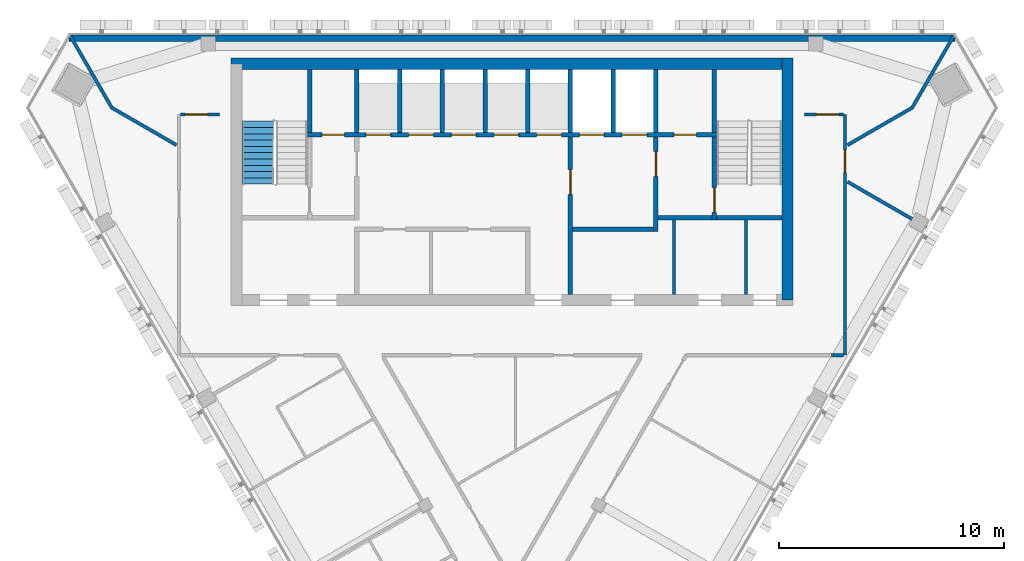
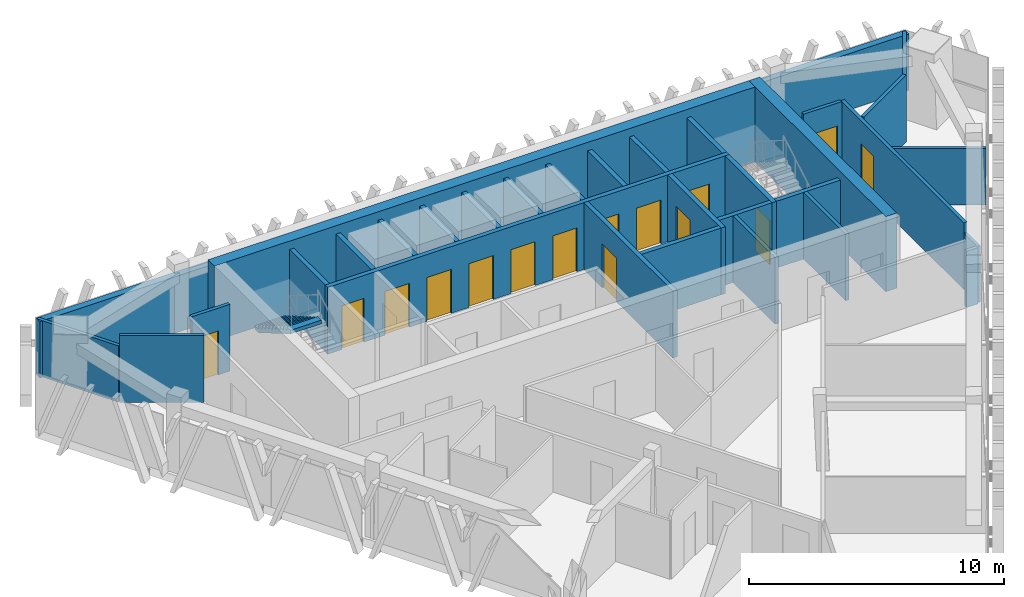
# One storey, part 7 of 12: 32 walls, 15 doors, 1 stair flight, 15 openings, 1 element without a shape of its own.
"""IFC4 building model written with IfcOpenShell, lengths in metres."""

import ifcopenshell
import ifcopenshell.guid

model = None  # the IFC model being written
_history = None  # IfcOwnerHistory: only IFC2X3 demands one
_inside = {}  # id of a spatial element -> (the spatial element, [elements in it])
_under = {}  # id of a project, library or spatial element -> (it, [spatial elements below it])
_declared = {}  # id of a project -> (the project, [libraries it declares])
_typed = {}  # id of a type object -> (the type object, [elements of that type])
_made_of = {}  # id of a material, layer set ... -> (it, [elements and type objects made of it])


def new_model(schema):
    """Start an empty IFC model of exactly this schema.

    Asked for "IFC4X3", IfcOpenShell would pick the latest addendum, in which some entities
    have other attributes; the version numbers below select the first issue.
    IFC2X3 requires an IfcOwnerHistory on every rooted entity: one is made here for all.
    """
    global model, _history
    if schema == "IFC4X3":
        model = ifcopenshell.file(schema_version=(4, 3, 0, 0))
    else:
        model = ifcopenshell.file(schema=schema)
    _inside.clear()
    _under.clear()
    _declared.clear()
    _typed.clear()
    _made_of.clear()
    _history = None
    if model.schema == "IFC2X3":
        org = make("IfcOrganization", Name="unknown")
        user = make(
            "IfcPersonAndOrganization",
            ThePerson=make("IfcPerson", FamilyName="unknown"),
            TheOrganization=org,
        )
        app = make(
            "IfcApplication",
            ApplicationDeveloper=org,
            Version="unknown",
            ApplicationFullName="unknown",
            ApplicationIdentifier="unknown",
        )
        _history = make(
            "IfcOwnerHistory",
            OwningUser=user,
            OwningApplication=app,
            ChangeAction="ADDED",
            CreationDate=0,
        )
    return model


def make(cls, **values):
    """One entity of the class cls with the attributes given. An attribute that is None is left unset."""
    return model.create_entity(
        cls, **{name: value for name, value in values.items() if value is not None}
    )


def rooted(cls, **values):
    """An entity with a GlobalId (a new one), such as an element, a storey or a relation."""
    return make(cls, GlobalId=ifcopenshell.guid.new(), OwnerHistory=_history, **values)


def si_unit(unit_type, name, prefix=None):
    """IfcSIUnit, for example si_unit("LENGTHUNIT", "METRE", prefix="MILLI")."""
    return make("IfcSIUnit", UnitType=unit_type, Prefix=prefix, Name=name)


def assignment(units):
    """IfcUnitAssignment: the units of a project."""
    return None if units is None else make("IfcUnitAssignment", Units=units)


def point(xyz):
    """IfcCartesianPoint."""
    return None if xyz is None else make("IfcCartesianPoint", Coordinates=xyz)


def direction(xyz):
    """IfcDirection."""
    return None if xyz is None else make("IfcDirection", DirectionRatios=xyz)


def frame(location, z_axis=None, x_axis=None):
    """IfcAxis2Placement3D, a coordinate frame: its origin and axes. An axis left out is left unset."""
    return make(
        "IfcAxis2Placement3D",
        Location=point(location),
        Axis=direction(z_axis),
        RefDirection=direction(x_axis),
    )


def frame_2d(location, x_axis=None):
    """IfcAxis2Placement2D, a coordinate frame in the plane: its origin and x axis."""
    return make(
        "IfcAxis2Placement2D", Location=point(location), RefDirection=direction(x_axis)
    )


def origin():
    """The frame at (0, 0, 0) with its axes left unset."""
    return frame((0.0, 0.0, 0.0))


def place(relative_to, where):
    """IfcLocalPlacement: puts the frame where relative to a parent placement (None: the world)."""
    return make(
        "IfcLocalPlacement", PlacementRelTo=relative_to, RelativePlacement=where
    )


def context(
    kind, dimensions, precision=None, world=None, true_north=None, identifier=None
):
    """IfcGeometricRepresentationContext, for example the 3D "Model" context."""
    return make(
        "IfcGeometricRepresentationContext",
        ContextIdentifier=identifier,
        ContextType=kind,
        CoordinateSpaceDimension=dimensions,
        Precision=precision,
        WorldCoordinateSystem=world,
        TrueNorth=true_north,
    )


def subcontext(parent, identifier, kind, view, scale=None):
    """IfcGeometricRepresentationSubContext, for example "Body" below "Model"."""
    return make(
        "IfcGeometricRepresentationSubContext",
        ContextIdentifier=identifier,
        ContextType=kind,
        ParentContext=parent,
        TargetScale=scale,
        TargetView=view,
    )


def project(units=None, contexts=None):
    """IfcProject with its units and contexts."""
    return rooted(
        "IfcProject",
        Name="project",
        RepresentationContexts=contexts,
        UnitsInContext=assignment(units),
    )


def spatial(cls, under=None, at=None, **own):
    """A site, building, storey or space (cls), placed at a placement, below another one or the project."""
    s = rooted(cls, ObjectPlacement=at, **own)
    if under is not None:
        _under.setdefault(under.id(), (under, []))[1].append(s)
    return s


def polyline(points):
    """IfcPolyline through the points."""
    return make("IfcPolyline", Points=[point(p) for p in points])


def profile(cls, at=None, kind="AREA", **sizes):
    """A parametric profile (cls). Its sizes go by their IFC names, for example OverallWidth=200.0."""
    return make(cls, ProfileType=kind, Position=at, **sizes)


def rectangle(**sizes):
    """IfcRectangleProfileDef."""
    return profile("IfcRectangleProfileDef", **sizes)


def outline(outer, holes=None, kind="AREA"):
    """IfcArbitraryClosedProfileDef: a profile drawn as a closed curve; with holes, ...WithVoids."""
    if holes is None:
        return make("IfcArbitraryClosedProfileDef", ProfileType=kind, OuterCurve=outer)
    return make(
        "IfcArbitraryProfileDefWithVoids",
        ProfileType=kind,
        OuterCurve=outer,
        InnerCurves=holes,
    )


def extrude(swept, where, along, depth):
    """IfcExtrudedAreaSolid: the profile swept, set in the frame where, extruded along a direction by depth."""
    return make(
        "IfcExtrudedAreaSolid",
        SweptArea=swept,
        Position=where,
        ExtrudedDirection=direction(along),
        Depth=depth,
    )


def shape(context_of_items, identifier, shape_type, items):
    """IfcShapeRepresentation: the items that make up one representation, for example the "Body"."""
    return make(
        "IfcShapeRepresentation",
        ContextOfItems=context_of_items,
        RepresentationIdentifier=identifier,
        RepresentationType=shape_type,
        Items=items,
    )


def material(Name=None, Category=None):
    """IfcMaterial."""
    return make("IfcMaterial", Name=Name, Category=Category)


def layer(
    of_material, thickness, ventilated=None, Name=None, Category=None, Priority=None
):
    """IfcMaterialLayer: one layer of a wall or slab, of a material (None: an air gap)."""
    return make(
        "IfcMaterialLayer",
        Material=of_material,
        LayerThickness=thickness,
        IsVentilated=ventilated,
        Name=Name,
        Category=Category,
        Priority=Priority,
    )


def layer_set(layers, Name=None):
    """IfcMaterialLayerSet."""
    return make("IfcMaterialLayerSet", MaterialLayers=layers, LayerSetName=Name)


def made_of(thing, what):
    """Note that an element or type object is made of a material, layer set ...; save() writes the relation."""
    if what is not None:
        _made_of.setdefault(what.id(), (what, []))[1].append(thing)
    return thing


def type_object(cls, material=None, **own):
    """A type object (cls), such as IfcWallType, which elements share."""
    return made_of(rooted(cls, **own), material)


def element(
    cls,
    number,
    at=None,
    inside=None,
    cuts=None,
    type_object=None,
    material=None,
    context=None,
    identifier="Body",
    shape_type=None,
    held_by="IfcProductDefinitionShape",
    body=None,
    shapes=None,
    **own,
):
    """One element of the class cls, such as IfcWall. Its Tag is "e" and its number.

    at: its placement. inside: the storey or other place that contains it. cuts: it is an
    opening in that element (IfcRelVoidsElement). A single representation is given by context,
    identifier, shape_type and body (its items); several are given by shapes. held_by: the class
    of the entity that holds the representations. save() writes the other relations.
    """
    e = rooted(cls, Tag="e%d" % number, ObjectPlacement=at, **own)
    if body is not None:
        shapes = [shape(context, identifier, shape_type, body)]
    if shapes is not None:
        e.Representation = make(held_by, Representations=shapes)
    if inside is not None:
        _inside.setdefault(inside.id(), (inside, []))[1].append(e)
    if cuts is not None:
        rooted(
            "IfcRelVoidsElement", RelatingBuildingElement=cuts, RelatedOpeningElement=e
        )
    if type_object is not None:
        _typed.setdefault(type_object.id(), (type_object, []))[1].append(e)
    return made_of(e, material)


def fill(opening, filler):
    """IfcRelFillsElement: the door or window that sits in an opening."""
    return rooted(
        "IfcRelFillsElement",
        RelatingOpeningElement=opening,
        RelatedBuildingElement=filler,
    )


def aggregate(whole, parts):
    """IfcRelAggregates: a whole, such as a stair, and the parts it consists of."""
    return rooted("IfcRelAggregates", RelatingObject=whole, RelatedObjects=parts)


def save(model, path):
    """Write the relations noted so far, then the file.

    IfcRelAggregates (storeys below a building ...), IfcRelContainedInSpatialStructure (elements
    in a storey), IfcRelDefinesByType, IfcRelAssociatesMaterial and IfcRelDeclares: one each for
    every whole, place, type object, material and project.
    """
    for whole, parts in _under.values():
        aggregate(whole, parts)
    for where, things in _inside.values():
        rooted(
            "IfcRelContainedInSpatialStructure",
            RelatedElements=things,
            RelatingStructure=where,
        )
    for kind, things in _typed.values():
        rooted("IfcRelDefinesByType", RelatedObjects=things, RelatingType=kind)
    for what, things in _made_of.values():
        rooted("IfcRelAssociatesMaterial", RelatedObjects=things, RelatingMaterial=what)
    for by, libraries in _declared.values():
        rooted("IfcRelDeclares", RelatingContext=by, RelatedDefinitions=libraries)
    model.write(path)


model = new_model("IFC4")

# Units and contexts
model_context = context("Model", 3, precision=1e-05, world=origin(), true_north=direction((0.0, 1.0)))
body_context = subcontext(model_context, "Body", "Model", "MODEL_VIEW")
ifc_project = project(units=[si_unit("LENGTHUNIT", "METRE"), si_unit("AREAUNIT", "SQUARE_METRE"), si_unit("VOLUMEUNIT", "CUBIC_METRE"), si_unit("PLANEANGLEUNIT", "RADIAN"), si_unit("MASSUNIT", "GRAM", prefix="KILO")], contexts=[model_context])

# Site, building, storey
site_placement = place(None, origin())
site = spatial("IfcSite", under=ifc_project, at=site_placement, CompositionType="ELEMENT")
building_placement = place(site_placement, origin())
building = spatial("IfcBuilding", under=site, at=building_placement, Name="Altiplano Prism Tower", CompositionType="ELEMENT")
storey_placement = place(building_placement, frame((0.0, 0.0, 316.60009765625)))
storey = spatial("IfcBuildingStorey", under=building, at=storey_placement, Name="L82", CompositionType="ELEMENT", Elevation=316.60009765625)

# Walls
ifc_material_1 = material(Name="Concrete C60/75", Category="concrete")
ifc_layer_1 = layer(ifc_material_1, 0.5)
ifc_layer_set_1 = layer_set([ifc_layer_1], Name="Concrete C60/75")
wall_type_1 = type_object("IfcWallType", Name="Core wall 500", PredefinedType="SHEAR", material=ifc_layer_set_1)
wall_1_placement = place(storey_placement, frame((97.25, 93.14990234375, 0.0), z_axis=(0.0, 0.0, 1.0), x_axis=(0.0, 1.0, 0.0)))
element("IfcWall", 1, at=wall_1_placement, inside=storey, type_object=wall_type_1, Name="Core wall E L82", PredefinedType="SHEAR", context=body_context, shape_type="SweptSolid", body=[
    extrude(rectangle(XDim=10.75, YDim=0.5, at=frame_2d((5.375, 0.0))), origin(), (0.0, 0.0, 1.0), 3.599853515625),
])
wall_2_placement = place(storey_placement, frame((97.25, 103.64990234375, 0.0), z_axis=(0.0, 0.0, 1.0), x_axis=(-1.0, 0.0, 0.0)))
element("IfcWall", 2, at=wall_2_placement, inside=storey, type_object=wall_type_1, Name="Core wall N L82", PredefinedType="SHEAR", context=body_context, shape_type="SweptSolid", body=[
    extrude(rectangle(XDim=24.75, YDim=0.5, at=frame_2d((12.375, 0.0))), origin(), (0.0, 0.0, 1.0), 3.599853515625),
])
ifc_material_2 = material(Name="Plasterboard on steel stud", Category="steel")
ifc_layer_2 = layer(ifc_material_2, 0.14990234375)
ifc_layer_set_2 = layer_set([ifc_layer_2], Name="Plasterboard on steel stud")
wall_type_2 = type_object("IfcWallType", Name="Partition 150 corridor", PredefinedType="PARTITIONING", material=ifc_layer_set_2)
wall_3_placement = place(storey_placement, frame((99.198486328125, 90.699951171875, 0.0), z_axis=(0.0, 0.0, 1.0), x_axis=(1.0, 0.0, 0.0)))
element("IfcWall", 3, at=wall_3_placement, inside=storey, type_object=wall_type_2, Name="Partition P06 L82 011", PredefinedType="PARTITIONING", context=body_context, shape_type="SweptSolid", body=[
    extrude(rectangle(XDim=0.5263671875, YDim=0.14990234375, at=frame_2d((0.26318359375, 0.0))), origin(), (0.0, 0.0, 1.0), 2.699951171875),
])
wall_4_placement = place(storey_placement, frame((99.800048828125, 90.699951171875, 0.0), z_axis=(0.0, 0.0, 1.0), x_axis=(0.0, 1.0, 0.0)))
element("IfcWall", 4, at=wall_4_placement, inside=storey, type_object=wall_type_2, Name="Partition P06 L82 012", PredefinedType="PARTITIONING", context=body_context, shape_type="SweptSolid", body=[
    extrude(rectangle(XDim=1.042236328125, YDim=0.14990234375, at=frame_2d((0.52099609375, 0.0))), origin(), (0.0, 0.0, 1.0), 2.699951171875),
])

# Wall, opening, door
wall_5_placement = place(storey_placement, frame((99.800048828125, 91.7421875, 0.0), z_axis=(0.0, 0.0, 1.0), x_axis=(5.0553561e-05, 0.999999998722, 0.0)))
wall_5 = element("IfcWall", 5, at=wall_5_placement, inside=storey, type_object=wall_type_2, Name="Partition P06 L82 013", PredefinedType="PARTITIONING", context=body_context, shape_type="SweptSolid", body=[
    extrude(rectangle(XDim=9.65869140625, YDim=0.14990234375, at=frame_2d((4.829345703125, 0.0))), origin(), (0.0, 0.0, 1.0), 3.199951171875),
])
opening_1_placement = place(wall_5_placement, frame((7.0791015625, 0.0, 0.0)))
opening_1 = element("IfcOpeningElement", 6, at=opening_1_placement, cuts=wall_5, Name="Opening D2421", PredefinedType="OPENING", context=body_context, shape_type="SweptSolid", body=[
    extrude(rectangle(XDim=1.0, YDim=2.10009765625, at=frame_2d((0.5, 1.050048828125))), frame((0.0, 0.08544921875, 0.0), z_axis=(0.0, -1.0, 0.0), x_axis=(1.0, 0.0, 0.0)), (0.0, 0.0, 1.0), 0.1708984375),
])
ifc_material_3 = material(Name="Timber", Category="wood")
door_type_1 = type_object("IfcDoorType", Name="Room door 1000 x 2100", OperationType="NOTDEFINED", PredefinedType="NOTDEFINED", material=ifc_material_3)
door_1_placement = place(opening_1_placement, origin())
door_1 = element("IfcDoor", 7, at=door_1_placement, inside=storey, type_object=door_type_1, Name="Door D2421", OperationType="SINGLE_SWING_LEFT", OverallHeight=2.10009765625, OverallWidth=1.0, PredefinedType="NOTDEFINED", context=body_context, shape_type="SweptSolid", body=[
    extrude(rectangle(XDim=1.0, YDim=2.10009765625, at=frame_2d((0.5, 1.050048828125))), frame((0.0, 0.02490234375, 0.0), z_axis=(0.0, -1.0, 0.0), x_axis=(1.0, 0.0, 0.0)), (0.0, 0.0, 1.0), 0.050048828125),
])
fill(opening_1, door_1)

wall_6_placement = place(storey_placement, frame((99.7255859375, 101.40087890625, 0.0), z_axis=(0.0, 0.0, 1.0), x_axis=(-1.0, 0.0, 0.0)))
wall_6 = element("IfcWall", 8, at=wall_6_placement, inside=storey, type_object=wall_type_2, Name="Partition P06 L82 014", PredefinedType="PARTITIONING", context=body_context, shape_type="SweptSolid", body=[
    extrude(rectangle(XDim=1.7255859375, YDim=0.14990234375, at=frame_2d((0.86279296875, 0.0))), origin(), (0.0, 0.0, 1.0), 3.199951171875),
])
opening_2_placement = place(wall_6_placement, frame((0.199951171875, 0.0, 0.0)))
opening_2 = element("IfcOpeningElement", 9, at=opening_2_placement, cuts=wall_6, Name="Opening D2422", PredefinedType="OPENING", context=body_context, shape_type="SweptSolid", body=[
    extrude(rectangle(XDim=1.0, YDim=2.10009765625, at=frame_2d((0.5, 1.050048828125))), frame((0.0, 0.08544921875, 0.0), z_axis=(0.0, -1.0, 0.0), x_axis=(1.0, 0.0, 0.0)), (0.0, 0.0, 1.0), 0.1708984375),
])
door_type_2 = type_object("IfcDoorType", Name="Store door 1000 x 2100", OperationType="NOTDEFINED", PredefinedType="NOTDEFINED", material=ifc_material_3)
door_2_placement = place(opening_2_placement, origin())
door_2 = element("IfcDoor", 10, at=door_2_placement, inside=storey, type_object=door_type_2, Name="Door D2422", OperationType="SINGLE_SWING_LEFT", OverallHeight=2.10009765625, OverallWidth=1.0, PredefinedType="NOTDEFINED", context=body_context, shape_type="SweptSolid", body=[
    extrude(rectangle(XDim=1.0, YDim=2.10009765625, at=frame_2d((0.5, 1.050048828125))), frame((0.0, 0.02490234375, 0.0), z_axis=(0.0, -1.0, 0.0), x_axis=(1.0, 0.0, 0.0)), (0.0, 0.0, 1.0), 0.050048828125),
])
fill(opening_2, door_2)

wall_7_placement = place(storey_placement, frame((72.0, 101.40087890625, 0.0), z_axis=(0.0, 0.0, 1.0), x_axis=(-1.0, 0.0, 0.0)))
wall_7 = element("IfcWall", 11, at=wall_7_placement, inside=storey, type_object=wall_type_2, Name="Partition P06 L82 015", PredefinedType="PARTITIONING", context=body_context, shape_type="SweptSolid", body=[
    extrude(rectangle(XDim=1.7255859375, YDim=0.14990234375, at=frame_2d((0.86279296875, 0.0))), origin(), (0.0, 0.0, 1.0), 3.199951171875),
])
opening_3_placement = place(wall_7_placement, frame((0.52587890625, 0.0, 0.0)))
opening_3 = element("IfcOpeningElement", 12, at=opening_3_placement, cuts=wall_7, Name="Opening D2423", PredefinedType="OPENING", context=body_context, shape_type="SweptSolid", body=[
    extrude(rectangle(XDim=1.0, YDim=2.10009765625, at=frame_2d((0.5, 1.050048828125))), frame((0.0, 0.08544921875, 0.0), z_axis=(0.0, -1.0, 0.0), x_axis=(1.0, 0.0, 0.0)), (0.0, 0.0, 1.0), 0.1708984375),
])
door_3_placement = place(opening_3_placement, origin())
door_3 = element("IfcDoor", 13, at=door_3_placement, inside=storey, type_object=door_type_2, Name="Door D2423", OperationType="SINGLE_SWING_RIGHT", OverallHeight=2.10009765625, OverallWidth=1.0, PredefinedType="NOTDEFINED", context=body_context, shape_type="SweptSolid", body=[
    extrude(rectangle(XDim=1.0, YDim=2.10009765625, at=frame_2d((0.5, 1.050048828125))), frame((0.0, 0.02490234375, 0.0), z_axis=(0.0, -1.0, 0.0), x_axis=(1.0, 0.0, 0.0)), (0.0, 0.0, 1.0), 0.050048828125),
])
fill(opening_3, door_3)

# Walls
ifc_layer_3 = layer(ifc_material_2, 0.14990234375)
ifc_layer_set_3 = layer_set([ifc_layer_3], Name="Plasterboard on steel stud")
wall_type_3 = type_object("IfcWallType", Name="Partition 150 party", PredefinedType="PARTITIONING", material=ifc_layer_set_3)
wall_8_placement = place(storey_placement, frame((70.0869140625, 100.040283203125, 0.0), z_axis=(0.0, 0.0, 1.0), x_axis=(-0.866037565146, 0.499978935311, 0.0)))
element("IfcWall", 14, at=wall_8_placement, inside=storey, type_object=wall_type_3, Name="Partition P01 L82 020", PredefinedType="PARTITIONING", context=body_context, shape_type="SweptSolid", body=[
    extrude(rectangle(XDim=3.323486328125, YDim=0.14990234375, at=frame_2d((1.66162109375, 0.0))), origin(), (0.0, 0.0, 1.0), 3.199951171875),
])
wall_9_placement = place(storey_placement, frame((67.208740234375, 101.701904296875, 0.0), z_axis=(0.0, 0.0, 1.0), x_axis=(-0.500014321241, 0.866017135254, 0.0)))
element("IfcWall", 15, at=wall_9_placement, inside=storey, type_object=wall_type_3, Name="Partition P01 L82 021", PredefinedType="PARTITIONING", context=body_context, shape_type="SweptSolid", body=[
    extrude(rectangle(XDim=3.69287109375, YDim=0.14990234375, at=frame_2d((1.846435546875, 0.0))), origin(), (0.0, 0.0, 1.0), 2.699951171875),
])
wall_10_placement = place(storey_placement, frame((103.415283203125, 96.38671875, 0.0), z_axis=(0.0, 0.0, 1.0), x_axis=(-0.866042837784, 0.499969802211, 0.0)))
element("IfcWall", 16, at=wall_10_placement, inside=storey, type_object=wall_type_3, Name="Partition P01 L82 033", PredefinedType="PARTITIONING", context=body_context, shape_type="SweptSolid", body=[
    extrude(rectangle(XDim=4.044189453125, YDim=0.14990234375, at=frame_2d((2.02197265625, 0.0))), origin(), (0.0, 0.0, 1.0), 2.699951171875),
])
wall_11_placement = place(storey_placement, frame((104.6376953125, 104.89990234375, 0.0), z_axis=(0.0, 0.0, 1.0), x_axis=(-0.500014321241, -0.866017135254, 0.0)))
element("IfcWall", 17, at=wall_11_placement, inside=storey, type_object=wall_type_3, Name="Partition P01 L82 034", PredefinedType="PARTITIONING", context=body_context, shape_type="SweptSolid", body=[
    extrude(rectangle(XDim=3.69287109375, YDim=0.14990234375, at=frame_2d((1.846435546875, 0.0))), origin(), (0.0, 0.0, 1.0), 2.699951171875),
])
wall_12_placement = place(storey_placement, frame((102.791259765625, 101.701904296875, 0.0), z_axis=(0.0, 0.0, 1.0), x_axis=(-0.866037565146, -0.499978935311, 0.0)))
element("IfcWall", 18, at=wall_12_placement, inside=storey, type_object=wall_type_3, Name="Partition P01 L82 035", PredefinedType="PARTITIONING", context=body_context, shape_type="SweptSolid", body=[
    extrude(rectangle(XDim=3.323486328125, YDim=0.14990234375, at=frame_2d((1.66162109375, 0.0))), origin(), (0.0, 0.0, 1.0), 3.199951171875),
])
ifc_material_4 = material(Name="Fire-rated gypsum board partition")
ifc_layer_4 = layer(ifc_material_4, 0.14990234375)
ifc_layer_set_4 = layer_set([ifc_layer_4], Name="Fire-rated gypsum board partition")
wall_type_4 = type_object("IfcWallType", Name="Room partition 150", PredefinedType="PARTITIONING", material=ifc_layer_set_4)
for number, where, z_axis, x_axis, name in (
    (19, (92.199951171875, 93.39990234375, 0.0), (0.0, 0.0, 1.0), (0.0, 1.0, 0.0), "Room partition L82"),
    (20, (95.39990234375, 93.39990234375, 0.0), (0.0, 0.0, 1.0), (0.0, 1.0, 0.0), "Room partition L82"),
):
    element("IfcWall", number, at=place(storey_placement, frame(where, z_axis=z_axis, x_axis=x_axis)), inside=storey, type_object=wall_type_4, Name=name, PredefinedType="PARTITIONING", context=body_context, shape_type="SweptSolid", body=[
        extrude(rectangle(XDim=3.300048828125, YDim=0.14990234375, at=frame_2d((1.64990234375, 0.0))), origin(), (0.0, 0.0, 1.0), 3.199951171875),
    ])
ifc_layer_5 = layer(ifc_material_1, 0.199951171875)
ifc_layer_set_5 = layer_set([ifc_layer_5], Name="Concrete C60/75")
wall_type_5 = type_object("IfcWallType", Name="Shaft wall 200", PredefinedType="SOLIDWALL", material=ifc_layer_set_5)
for number, where, z_axis, x_axis, name in (
    (21, (78.10009765625, 100.60009765625, 0.0), (0.0, 0.0, 1.0), (0.0, 1.0, 0.0), "Shaft wall L82"),
    (22, (80.0, 100.60009765625, 0.0), (0.0, 0.0, 1.0), (0.0, 1.0, 0.0), "Shaft wall L82"),
    (23, (81.89990234375, 100.60009765625, 0.0), (0.0, 0.0, 1.0), (0.0, 1.0, 0.0), "Shaft wall L82"),
    (24, (83.800048828125, 100.60009765625, 0.0), (0.0, 0.0, 1.0), (0.0, 1.0, 0.0), "Shaft wall L82"),
    (25, (85.699951171875, 100.60009765625, 0.0), (0.0, 0.0, 1.0), (0.0, 1.0, 0.0), "Shaft wall L82"),
    (26, (87.60009765625, 100.60009765625, 0.0), (0.0, 0.0, 1.0), (0.0, 1.0, 0.0), "Shaft wall L82"),
    (27, (89.5, 100.60009765625, 0.0), (0.0, 0.0, 1.0), (0.0, 1.0, 0.0), "Shaft wall L82"),
    (28, (91.39990234375, 100.60009765625, 0.0), (0.0, 0.0, 1.0), (0.0, 1.0, 0.0), "Shaft wall L82"),
):
    element("IfcWall", number, at=place(storey_placement, frame(where, z_axis=z_axis, x_axis=x_axis)), inside=storey, type_object=wall_type_5, Name=name, PredefinedType="SOLIDWALL", context=body_context, shape_type="SweptSolid", body=[
        extrude(rectangle(XDim=2.7998046875, YDim=0.199951171875, at=frame_2d((1.39990234375, 0.0))), origin(), (0.0, 0.0, 1.0), 3.199951171875),
    ])

# Wall, opening, door
ifc_layer_6 = layer(ifc_material_1, 0.199951171875)
ifc_layer_set_6 = layer_set([ifc_layer_6], Name="Concrete C60/75")
wall_type_6 = type_object("IfcWallType", Name="Stair wall 200", PredefinedType="SOLIDWALL", material=ifc_layer_set_6)
wall_13_placement = place(storey_placement, frame((94.0, 96.699951171875, 0.0), z_axis=(0.0, 0.0, 1.0), x_axis=(0.0, 1.0, 0.0)))
wall_13 = element("IfcWall", 29, at=wall_13_placement, inside=storey, type_object=wall_type_6, Name="Stair wall L82", PredefinedType="SOLIDWALL", context=body_context, shape_type="SweptSolid", body=[
    extrude(rectangle(XDim=3.699951171875, YDim=0.199951171875, at=frame_2d((1.85009765625, 0.0))), origin(), (0.0, 0.0, 1.0), 3.199951171875),
])
opening_4_placement = place(wall_13_placement, frame((0.35009765625, 0.0, 0.0)))
opening_4 = element("IfcOpeningElement", 30, at=opening_4_placement, cuts=wall_13, Name="Opening D3739", PredefinedType="OPENING", context=body_context, shape_type="SweptSolid", body=[
    extrude(rectangle(XDim=1.10009765625, YDim=2.10009765625, at=frame_2d((0.550048828125, 1.050048828125))), frame((0.0, 0.1103515625, 0.0), z_axis=(0.0, -1.0, 0.0), x_axis=(1.0, 0.0, 0.0)), (0.0, 0.0, 1.0), 0.220947265625),
])
ifc_material_5 = material(Name="Fire-rated steel door", Category="steel")
door_type_3 = type_object("IfcDoorType", Name="Stair fire door 1100 x 2100", OperationType="NOTDEFINED", PredefinedType="NOTDEFINED", material=ifc_material_5)
door_4_placement = place(opening_4_placement, origin())
door_4 = element("IfcDoor", 31, at=door_4_placement, inside=storey, type_object=door_type_3, Name="Stair fire door D3739", OperationType="SINGLE_SWING_LEFT", OverallHeight=2.10009765625, OverallWidth=1.10009765625, PredefinedType="NOTDEFINED", context=body_context, shape_type="SweptSolid", body=[
    extrude(rectangle(XDim=1.10009765625, YDim=2.10009765625, at=frame_2d((0.550048828125, 1.050048828125))), frame((0.0, 0.02490234375, 0.0), z_axis=(0.0, -1.0, 0.0), x_axis=(1.0, 0.0, 0.0)), (0.0, 0.0, 1.0), 0.050048828125),
])
fill(opening_4, door_4)

# Wall
wall_14_placement = place(storey_placement, frame((94.10009765625, 96.800048828125, 0.0), z_axis=(0.0, 0.0, 1.0), x_axis=(1.0, 0.0, 0.0)))
element("IfcWall", 32, at=wall_14_placement, inside=storey, type_object=wall_type_6, Name="Stair wall L82", PredefinedType="SOLIDWALL", context=body_context, shape_type="SweptSolid", body=[
    extrude(rectangle(XDim=2.89990234375, YDim=0.199951171875, at=frame_2d((1.449951171875, 0.0))), origin(), (0.0, 0.0, 1.0), 3.199951171875),
])

# Wall, openings, doors
wall_15_placement = place(storey_placement, frame((75.89990234375, 100.5, 0.0), z_axis=(0.0, 0.0, 1.0), x_axis=(1.0, 0.0, 0.0)))
wall_15 = element("IfcWall", 33, at=wall_15_placement, inside=storey, type_object=wall_type_6, Name="Stair wall L82", PredefinedType="SOLIDWALL", context=body_context, shape_type="SweptSolid", body=[
    extrude(rectangle(XDim=18.2001953125, YDim=0.199951171875, at=frame_2d((9.10009765625, 0.0))), origin(), (0.0, 0.0, 1.0), 3.199951171875),
])
opening_5_placement = place(wall_15_placement, frame((2.60009765625, 0.0, 0.0)))
opening_5 = element("IfcOpeningElement", 34, at=opening_5_placement, cuts=wall_15, Name="Opening LD-HL1-L82", PredefinedType="OPENING", context=body_context, shape_type="SweptSolid", body=[
    extrude(rectangle(XDim=1.10009765625, YDim=2.10009765625, at=frame_2d((0.550048828125, 1.050048828125))), frame((0.0, 0.1103515625, 0.0), z_axis=(0.0, -1.0, 0.0), x_axis=(1.0, 0.0, 0.0)), (0.0, 0.0, 1.0), 0.220947265625),
])
opening_6_placement = place(wall_15_placement, frame((4.5, 0.0, 0.0)))
opening_6 = element("IfcOpeningElement", 35, at=opening_6_placement, cuts=wall_15, Name="Opening LD-HL2-L82", PredefinedType="OPENING", context=body_context, shape_type="SweptSolid", body=[
    extrude(rectangle(XDim=1.10009765625, YDim=2.10009765625, at=frame_2d((0.550048828125, 1.050048828125))), frame((0.0, 0.1103515625, 0.0), z_axis=(0.0, -1.0, 0.0), x_axis=(1.0, 0.0, 0.0)), (0.0, 0.0, 1.0), 0.220947265625),
])
opening_7_placement = place(wall_15_placement, frame((6.39990234375, 0.0, 0.0)))
opening_7 = element("IfcOpeningElement", 36, at=opening_7_placement, cuts=wall_15, Name="Opening LD-HL3-L82", PredefinedType="OPENING", context=body_context, shape_type="SweptSolid", body=[
    extrude(rectangle(XDim=1.10009765625, YDim=2.10009765625, at=frame_2d((0.550048828125, 1.050048828125))), frame((0.0, 0.1103515625, 0.0), z_axis=(0.0, -1.0, 0.0), x_axis=(1.0, 0.0, 0.0)), (0.0, 0.0, 1.0), 0.220947265625),
])
opening_8_placement = place(wall_15_placement, frame((8.300048828125, 0.0, 0.0)))
opening_8 = element("IfcOpeningElement", 37, at=opening_8_placement, cuts=wall_15, Name="Opening LD-HL4-L82", PredefinedType="OPENING", context=body_context, shape_type="SweptSolid", body=[
    extrude(rectangle(XDim=1.10009765625, YDim=2.10009765625, at=frame_2d((0.550048828125, 1.050048828125))), frame((0.0, 0.1103515625, 0.0), z_axis=(0.0, -1.0, 0.0), x_axis=(1.0, 0.0, 0.0)), (0.0, 0.0, 1.0), 0.220947265625),
])
opening_9_placement = place(wall_15_placement, frame((10.199951171875, 0.0, 0.0)))
opening_9 = element("IfcOpeningElement", 38, at=opening_9_placement, cuts=wall_15, Name="Opening LD-HL5-L82", PredefinedType="OPENING", context=body_context, shape_type="SweptSolid", body=[
    extrude(rectangle(XDim=1.10009765625, YDim=2.10009765625, at=frame_2d((0.550048828125, 1.050048828125))), frame((0.0, 0.1103515625, 0.0), z_axis=(0.0, -1.0, 0.0), x_axis=(1.0, 0.0, 0.0)), (0.0, 0.0, 1.0), 0.220947265625),
])
opening_10_placement = place(wall_15_placement, frame((12.10009765625, 0.0, 0.0)))
opening_10 = element("IfcOpeningElement", 39, at=opening_10_placement, cuts=wall_15, Name="Opening LD-FF1-L82", PredefinedType="OPENING", context=body_context, shape_type="SweptSolid", body=[
    extrude(rectangle(XDim=1.10009765625, YDim=2.10009765625, at=frame_2d((0.550048828125, 1.050048828125))), frame((0.0, 0.1103515625, 0.0), z_axis=(0.0, -1.0, 0.0), x_axis=(1.0, 0.0, 0.0)), (0.0, 0.0, 1.0), 0.220947265625),
])
opening_11_placement = place(wall_15_placement, frame((14.0, 0.0, 0.0)))
opening_11 = element("IfcOpeningElement", 40, at=opening_11_placement, cuts=wall_15, Name="Opening LD-FF2-L82", PredefinedType="OPENING", context=body_context, shape_type="SweptSolid", body=[
    extrude(rectangle(XDim=1.10009765625, YDim=2.10009765625, at=frame_2d((0.550048828125, 1.050048828125))), frame((0.0, 0.1103515625, 0.0), z_axis=(0.0, -1.0, 0.0), x_axis=(1.0, 0.0, 0.0)), (0.0, 0.0, 1.0), 0.220947265625),
])
opening_12_placement = place(wall_15_placement, frame((0.64990234375, 0.0, 0.0)))
opening_12 = element("IfcOpeningElement", 41, at=opening_12_placement, cuts=wall_15, Name="Opening D3746", PredefinedType="OPENING", context=body_context, shape_type="SweptSolid", body=[
    extrude(rectangle(XDim=1.0, YDim=2.10009765625, at=frame_2d((0.5, 1.050048828125))), frame((0.0, 0.1103515625, 0.0), z_axis=(0.0, -1.0, 0.0), x_axis=(1.0, 0.0, 0.0)), (0.0, 0.0, 1.0), 0.220947265625),
])
opening_13_placement = place(wall_15_placement, frame((16.300048828125, 0.0, 0.0)))
opening_13 = element("IfcOpeningElement", 42, at=opening_13_placement, cuts=wall_15, Name="Opening D3747", PredefinedType="OPENING", context=body_context, shape_type="SweptSolid", body=[
    extrude(rectangle(XDim=1.0, YDim=2.10009765625, at=frame_2d((0.5, 1.050048828125))), frame((0.0, 0.1103515625, 0.0), z_axis=(0.0, -1.0, 0.0), x_axis=(1.0, 0.0, 0.0)), (0.0, 0.0, 1.0), 0.220947265625),
])
door_type_4 = type_object("IfcDoorType", Name="Core room door 1000 x 2100", OperationType="NOTDEFINED", PredefinedType="NOTDEFINED", material=ifc_material_5)
door_5_placement = place(opening_12_placement, origin())
door_5 = element("IfcDoor", 43, at=door_5_placement, inside=storey, type_object=door_type_4, Name="Core room door D3746", OperationType="SINGLE_SWING_LEFT", OverallHeight=2.10009765625, OverallWidth=1.0, PredefinedType="NOTDEFINED", context=body_context, shape_type="SweptSolid", body=[
    extrude(rectangle(XDim=1.0, YDim=2.10009765625, at=frame_2d((0.5, 1.050048828125))), frame((0.0, 0.02490234375, 0.0), z_axis=(0.0, -1.0, 0.0), x_axis=(1.0, 0.0, 0.0)), (0.0, 0.0, 1.0), 0.050048828125),
])
fill(opening_12, door_5)
door_6_placement = place(opening_13_placement, origin())
door_6 = element("IfcDoor", 44, at=door_6_placement, inside=storey, type_object=door_type_4, Name="Core room door D3747", OperationType="SINGLE_SWING_RIGHT", OverallHeight=2.10009765625, OverallWidth=1.0, PredefinedType="NOTDEFINED", context=body_context, shape_type="SweptSolid", body=[
    extrude(rectangle(XDim=1.0, YDim=2.10009765625, at=frame_2d((0.5, 1.050048828125))), frame((0.0, 0.02490234375, 0.0), z_axis=(0.0, -1.0, 0.0), x_axis=(1.0, 0.0, 0.0)), (0.0, 0.0, 1.0), 0.050048828125),
])
fill(opening_13, door_6)
ifc_material_6 = material(Name="Stainless steel landing door", Category="steel")
door_type_5 = type_object("IfcDoorType", Name="Landing door 1100 x 2100", OperationType="NOTDEFINED", PredefinedType="NOTDEFINED", material=ifc_material_6)
door_7_placement = place(opening_5_placement, origin())
door_7 = element("IfcDoor", 45, at=door_7_placement, inside=storey, type_object=door_type_5, Name="Landing doors HL1", OperationType="SLIDING_TO_RIGHT", OverallHeight=2.10009765625, OverallWidth=1.10009765625, PredefinedType="NOTDEFINED", context=body_context, shape_type="SweptSolid", body=[
    extrude(rectangle(XDim=1.10009765625, YDim=2.10009765625, at=frame_2d((0.550048828125, 1.050048828125))), frame((0.0, 0.02490234375, 0.0), z_axis=(0.0, -1.0, 0.0), x_axis=(1.0, 0.0, 0.0)), (0.0, 0.0, 1.0), 0.050048828125),
])
fill(opening_5, door_7)
door_8_placement = place(opening_6_placement, origin())
door_8 = element("IfcDoor", 46, at=door_8_placement, inside=storey, type_object=door_type_5, Name="Landing doors HL2", OperationType="SLIDING_TO_LEFT", OverallHeight=2.10009765625, OverallWidth=1.10009765625, PredefinedType="NOTDEFINED", context=body_context, shape_type="SweptSolid", body=[
    extrude(rectangle(XDim=1.10009765625, YDim=2.10009765625, at=frame_2d((0.550048828125, 1.050048828125))), frame((0.0, 0.02490234375, 0.0), z_axis=(0.0, -1.0, 0.0), x_axis=(1.0, 0.0, 0.0)), (0.0, 0.0, 1.0), 0.050048828125),
])
fill(opening_6, door_8)
door_9_placement = place(opening_7_placement, origin())
door_9 = element("IfcDoor", 47, at=door_9_placement, inside=storey, type_object=door_type_5, Name="Landing doors HL3", OperationType="SLIDING_TO_RIGHT", OverallHeight=2.10009765625, OverallWidth=1.10009765625, PredefinedType="NOTDEFINED", context=body_context, shape_type="SweptSolid", body=[
    extrude(rectangle(XDim=1.10009765625, YDim=2.10009765625, at=frame_2d((0.550048828125, 1.050048828125))), frame((0.0, 0.02490234375, 0.0), z_axis=(0.0, -1.0, 0.0), x_axis=(1.0, 0.0, 0.0)), (0.0, 0.0, 1.0), 0.050048828125),
])
fill(opening_7, door_9)
door_10_placement = place(opening_8_placement, origin())
door_10 = element("IfcDoor", 48, at=door_10_placement, inside=storey, type_object=door_type_5, Name="Landing doors HL4", OperationType="SLIDING_TO_LEFT", OverallHeight=2.10009765625, OverallWidth=1.10009765625, PredefinedType="NOTDEFINED", context=body_context, shape_type="SweptSolid", body=[
    extrude(rectangle(XDim=1.10009765625, YDim=2.10009765625, at=frame_2d((0.550048828125, 1.050048828125))), frame((0.0, 0.02490234375, 0.0), z_axis=(0.0, -1.0, 0.0), x_axis=(1.0, 0.0, 0.0)), (0.0, 0.0, 1.0), 0.050048828125),
])
fill(opening_8, door_10)
door_11_placement = place(opening_9_placement, origin())
door_11 = element("IfcDoor", 49, at=door_11_placement, inside=storey, type_object=door_type_5, Name="Landing doors HL5", OperationType="SLIDING_TO_RIGHT", OverallHeight=2.10009765625, OverallWidth=1.10009765625, PredefinedType="NOTDEFINED", context=body_context, shape_type="SweptSolid", body=[
    extrude(rectangle(XDim=1.10009765625, YDim=2.10009765625, at=frame_2d((0.550048828125, 1.050048828125))), frame((0.0, 0.02490234375, 0.0), z_axis=(0.0, -1.0, 0.0), x_axis=(1.0, 0.0, 0.0)), (0.0, 0.0, 1.0), 0.050048828125),
])
fill(opening_9, door_11)
door_12_placement = place(opening_10_placement, origin())
door_12 = element("IfcDoor", 50, at=door_12_placement, inside=storey, type_object=door_type_5, Name="Landing doors FF1", OperationType="SLIDING_TO_RIGHT", OverallHeight=2.10009765625, OverallWidth=1.10009765625, PredefinedType="NOTDEFINED", context=body_context, shape_type="SweptSolid", body=[
    extrude(rectangle(XDim=1.10009765625, YDim=2.10009765625, at=frame_2d((0.550048828125, 1.050048828125))), frame((0.0, 0.02490234375, 0.0), z_axis=(0.0, -1.0, 0.0), x_axis=(1.0, 0.0, 0.0)), (0.0, 0.0, 1.0), 0.050048828125),
])
fill(opening_10, door_12)
door_13_placement = place(opening_11_placement, origin())
door_13 = element("IfcDoor", 51, at=door_13_placement, inside=storey, type_object=door_type_5, Name="Landing doors FF2", OperationType="SLIDING_TO_LEFT", OverallHeight=2.10009765625, OverallWidth=1.10009765625, PredefinedType="NOTDEFINED", context=body_context, shape_type="SweptSolid", body=[
    extrude(rectangle(XDim=1.10009765625, YDim=2.10009765625, at=frame_2d((0.550048828125, 1.050048828125))), frame((0.0, 0.02490234375, 0.0), z_axis=(0.0, -1.0, 0.0), x_axis=(1.0, 0.0, 0.0)), (0.0, 0.0, 1.0), 0.050048828125),
])
fill(opening_11, door_13)

# Walls
for number, where, z_axis, x_axis, name in (
    (52, (76.0, 100.60009765625, 0.0), (0.0, 0.0, 1.0), (0.0, 1.0, 0.0), "Stair wall L82"),
    (53, (94.0, 100.60009765625, 0.0), (0.0, 0.0, 1.0), (0.0, 1.0, 0.0), "Stair wall L82"),
):
    element("IfcWall", number, at=place(storey_placement, frame(where, z_axis=z_axis, x_axis=x_axis)), inside=storey, type_object=wall_type_6, Name=name, PredefinedType="SOLIDWALL", context=body_context, shape_type="SweptSolid", body=[
        extrude(rectangle(XDim=2.7998046875, YDim=0.199951171875, at=frame_2d((1.39990234375, 0.0))), origin(), (0.0, 0.0, 1.0), 3.199951171875),
    ])
ifc_material_7 = material(Name="Concrete C40", Category="concrete")
ifc_layer_7 = layer(ifc_material_7, 0.300048828125)
ifc_layer_set_7 = layer_set([ifc_layer_7], Name="Concrete C40")
wall_type_7 = type_object("IfcWallType", Name="Stone-clad external wall 300", PredefinedType="SOLIDWALL", material=ifc_layer_set_7)
wall_16_placement = place(storey_placement, frame((65.304443359375, 104.7900390625, 0.0), z_axis=(0.0, 0.0, 1.0), x_axis=(1.0, 0.0, 0.0)))
element("IfcWall", 54, at=wall_16_placement, inside=storey, type_object=wall_type_7, Name="External wall north face L82", PredefinedType="SOLIDWALL", context=body_context, shape_type="SweptSolid", body=[
    extrude(rectangle(XDim=39.39111328125, YDim=0.300048828125, at=frame_2d((19.695556640625, 0.0))), origin(), (0.0, 0.0, 1.0), 2.699951171875),
])

# Wall, opening, door
ifc_layer_8 = layer(ifc_material_1, 0.199951171875)
ifc_layer_set_8 = layer_set([ifc_layer_8], Name="Concrete C60/75")
wall_type_8 = type_object("IfcWallType", Name="Vestibule wall 200", PredefinedType="PARTITIONING", material=ifc_layer_set_8)
wall_17_placement = place(storey_placement, frame((87.60009765625, 93.39990234375, 0.0), z_axis=(0.0, 0.0, 1.0), x_axis=(0.0, 1.0, 0.0)))
wall_17 = element("IfcWall", 55, at=wall_17_placement, inside=storey, type_object=wall_type_8, Name="Vestibule wall L82", PredefinedType="PARTITIONING", context=body_context, shape_type="SweptSolid", body=[
    extrude(rectangle(XDim=7.0, YDim=0.199951171875, at=frame_2d((3.5, 0.0))), origin(), (0.0, 0.0, 1.0), 3.199951171875),
])
opening_14_placement = place(wall_17_placement, frame((4.449951171875, 0.0, 0.0)))
opening_14 = element("IfcOpeningElement", 56, at=opening_14_placement, cuts=wall_17, Name="Opening D3741", PredefinedType="OPENING", context=body_context, shape_type="SweptSolid", body=[
    extrude(rectangle(XDim=1.10009765625, YDim=2.10009765625, at=frame_2d((0.550048828125, 1.050048828125))), frame((0.0, 0.1103515625, 0.0), z_axis=(0.0, -1.0, 0.0), x_axis=(1.0, 0.0, 0.0)), (0.0, 0.0, 1.0), 0.220947265625),
])
door_type_6 = type_object("IfcDoorType", Name="Vestibule fire door 1100 x 2100", OperationType="NOTDEFINED", PredefinedType="NOTDEFINED", material=ifc_material_5)
door_14_placement = place(opening_14_placement, origin())
door_14 = element("IfcDoor", 57, at=door_14_placement, inside=storey, type_object=door_type_6, Name="Vestibule fire door D3741", OperationType="SINGLE_SWING_RIGHT", OverallHeight=2.10009765625, OverallWidth=1.10009765625, PredefinedType="NOTDEFINED", context=body_context, shape_type="SweptSolid", body=[
    extrude(rectangle(XDim=1.10009765625, YDim=2.10009765625, at=frame_2d((0.550048828125, 1.050048828125))), frame((0.0, 0.02490234375, 0.0), z_axis=(0.0, -1.0, 0.0), x_axis=(1.0, 0.0, 0.0)), (0.0, 0.0, 1.0), 0.050048828125),
])
fill(opening_14, door_14)

# Wall
wall_18_placement = place(storey_placement, frame((87.699951171875, 96.300048828125, 0.0), z_axis=(0.0, 0.0, 1.0), x_axis=(1.0, 0.0, 0.0)))
element("IfcWall", 58, at=wall_18_placement, inside=storey, type_object=wall_type_8, Name="Vestibule wall L82", PredefinedType="PARTITIONING", context=body_context, shape_type="SweptSolid", body=[
    extrude(rectangle(XDim=3.60009765625, YDim=0.199951171875, at=frame_2d((1.800048828125, 0.0))), origin(), (0.0, 0.0, 1.0), 3.199951171875),
])

# Wall, opening, door
wall_19_placement = place(storey_placement, frame((91.39990234375, 96.199951171875, 0.0), z_axis=(0.0, 0.0, 1.0), x_axis=(0.0, 1.0, 0.0)))
wall_19 = element("IfcWall", 59, at=wall_19_placement, inside=storey, type_object=wall_type_8, Name="Vestibule wall L82", PredefinedType="PARTITIONING", context=body_context, shape_type="SweptSolid", body=[
    extrude(rectangle(XDim=4.199951171875, YDim=0.199951171875, at=frame_2d((2.10009765625, 0.0))), origin(), (0.0, 0.0, 1.0), 3.199951171875),
])
opening_15_placement = place(wall_19_placement, frame((2.449951171875, 0.0, 0.0)))
opening_15 = element("IfcOpeningElement", 60, at=opening_15_placement, cuts=wall_19, Name="Opening D3742", PredefinedType="OPENING", context=body_context, shape_type="SweptSolid", body=[
    extrude(rectangle(XDim=1.10009765625, YDim=2.10009765625, at=frame_2d((0.550048828125, 1.050048828125))), frame((0.0, 0.1103515625, 0.0), z_axis=(0.0, -1.0, 0.0), x_axis=(1.0, 0.0, 0.0)), (0.0, 0.0, 1.0), 0.220947265625),
])
door_15_placement = place(opening_15_placement, origin())
door_15 = element("IfcDoor", 61, at=door_15_placement, inside=storey, type_object=door_type_6, Name="Vestibule fire door D3742", OperationType="SINGLE_SWING_LEFT", OverallHeight=2.10009765625, OverallWidth=1.10009765625, PredefinedType="NOTDEFINED", context=body_context, shape_type="SweptSolid", body=[
    extrude(rectangle(XDim=1.10009765625, YDim=2.10009765625, at=frame_2d((0.550048828125, 1.050048828125))), frame((0.0, 0.02490234375, 0.0), z_axis=(0.0, -1.0, 0.0), x_axis=(1.0, 0.0, 0.0)), (0.0, 0.0, 1.0), 0.050048828125),
])
fill(opening_15, door_15)

# Wall
wall_20_placement = place(storey_placement, frame((91.5, 96.800048828125, 0.0), z_axis=(0.0, 0.0, 1.0), x_axis=(1.0, 0.0, 0.0)))
element("IfcWall", 62, at=wall_20_placement, inside=storey, type_object=wall_type_8, Name="Vestibule wall L82", PredefinedType="PARTITIONING", context=body_context, shape_type="SweptSolid", body=[
    extrude(rectangle(XDim=2.39990234375, YDim=0.199951171875, at=frame_2d((1.199951171875, 0.0))), origin(), (0.0, 0.0, 1.0), 3.199951171875),
])

# Stair, stair flight
ifc_material_8 = material(Name="Concrete C40/50", Category="concrete")
stair_type = type_object("IfcStairType", Name="Exit stair 1400", PredefinedType="HALF_TURN_STAIR", material=ifc_material_8)
stair_placement = place(storey_placement, origin())
stair = element("IfcStair", 63, at=stair_placement, inside=storey, type_object=stair_type, Name="L82 Exit Stair 1", PredefinedType="HALF_TURN_STAIR")
stair_flight_type = type_object("IfcStairFlightType", Name="Stair flight concrete 150", PredefinedType="STRAIGHT", material=ifc_material_8)
stair_flight_placement = place(storey_placement, frame((73.699951171875, 101.10009765625, 1.7998046875), z_axis=(0.0, 0.0, 1.0), x_axis=(0.0, -1.0, 0.0)))
stair_flight = element("IfcStairFlight", 64, at=stair_flight_placement, type_object=stair_flight_type, Name="ST1 flight 2", NumberOfRisers=11, NumberOfTreads=10, PredefinedType="STRAIGHT", RiserHeight=0.163636364, TreadLength=0.28, context=body_context, shape_type="SweptSolid", body=[
    extrude(outline(polyline([(0.0, 0.0), (0.0, 0.16357421875), (0.280029296875, 0.16357421875), (0.280029296875, 0.327392578125), (0.56005859375, 0.327392578125), (0.56005859375, 0.490966796875), (0.840087890625, 0.490966796875), (0.840087890625, 0.654541015625), (1.1201171875, 0.654541015625), (1.1201171875, 0.818115234375), (1.39990234375, 0.818115234375), (1.39990234375, 0.98193359375), (1.679931640625, 0.98193359375), (1.679931640625, 1.1455078125), (1.9599609375, 1.1455078125), (1.9599609375, 1.30908203125), (2.239990234375, 1.30908203125), (2.239990234375, 1.47265625), (2.52001953125, 1.47265625), (2.52001953125, 1.636474609375), (2.800048828125, 1.636474609375), (2.800048828125, 1.800048828125), (2.800048828125, 1.462646484375), (0.297119140625, 0.0), (0.0, 0.0)])), frame((0.0, 0.699951171875, 0.0), z_axis=(0.0, -1.0, 0.0), x_axis=(1.0, 0.0, 0.0)), (0.0, 0.0, 1.0), 1.39990234375),
])
aggregate(stair, [stair_flight])

save(model, "model.ifc")
